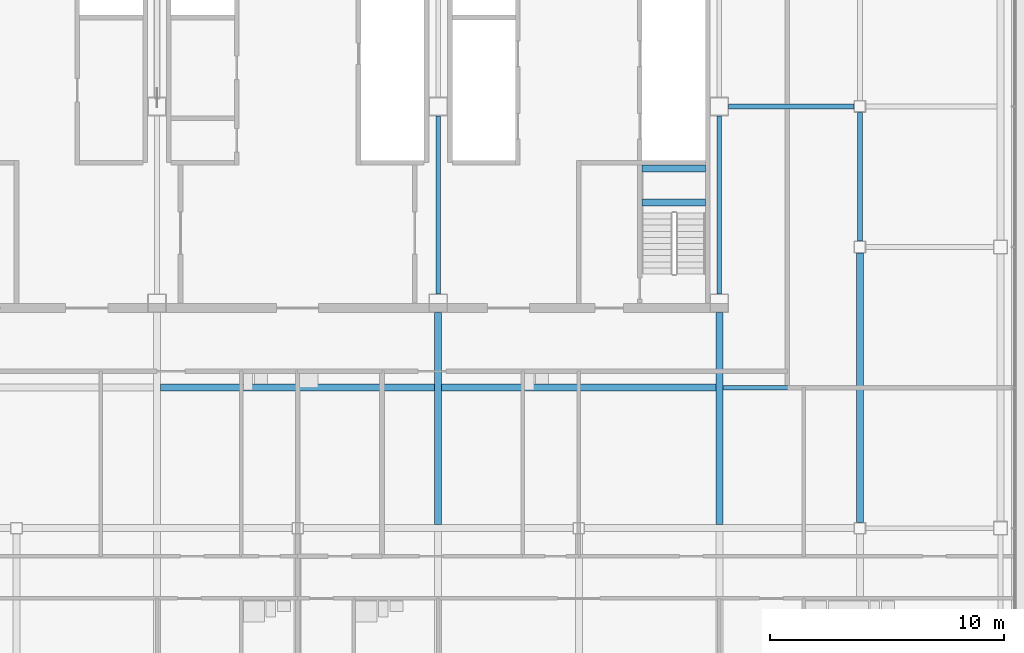
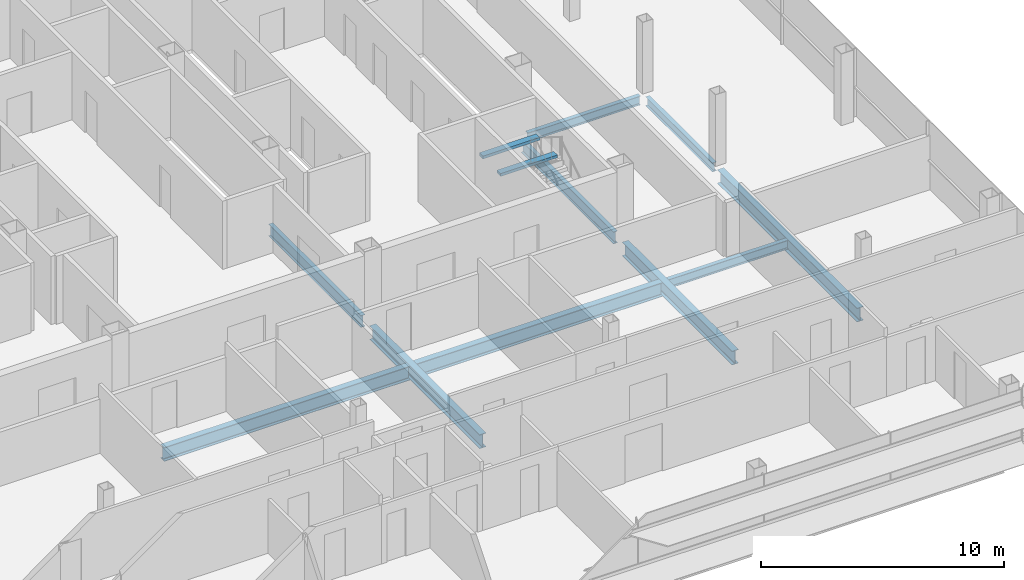
# One storey, part 11 of 28: 12 beams.
"""IFC4 building model written with IfcOpenShell, lengths in metres."""

from ifc_helpers import new_model, si_unit, direction, frame, origin, origin_2d, place, context, subcontext, project, spatial, rectangle, i_section, extrude, material, material_profile, profile_set, type_object, element, save


model = new_model("IFC4")

# Units and contexts
model_context = context("Model", 3, precision=1e-05, world=origin(), true_north=direction((0.0, 1.0)))
body_context = subcontext(model_context, "Body", "Model", "MODEL_VIEW")
ifc_project = project(units=[si_unit("LENGTHUNIT", "METRE"), si_unit("AREAUNIT", "SQUARE_METRE"), si_unit("VOLUMEUNIT", "CUBIC_METRE"), si_unit("PLANEANGLEUNIT", "RADIAN"), si_unit("MASSUNIT", "GRAM", prefix="KILO")], contexts=[model_context])

# Site, building, storey
site_placement = place(None, origin())
site = spatial("IfcSite", under=ifc_project, at=site_placement, CompositionType="ELEMENT")
building_placement = place(site_placement, origin())
building = spatial("IfcBuilding", under=site, at=building_placement, Name="Sorahane Residences", CompositionType="ELEMENT")
storey_placement = place(building_placement, frame((0.0, 0.0, 273.800048828125)))
storey = spatial("IfcBuildingStorey", under=building, at=storey_placement, Name="L65", CompositionType="ELEMENT", Elevation=273.800048828125)

# Beams
ifc_material_1 = material(Name="Concrete C40", Category="concrete")
ifc_material_profile_1 = material_profile(ifc_material_1, rectangle(XDim=0.300048828125, YDim=0.139892578125, at=origin_2d()), Name="300x140")
ifc_profile_set_1 = profile_set([ifc_material_profile_1], Name="Concrete C40")
beam_type_1 = type_object("IfcBeamType", Name="RC landing beam 300 x 140 Concrete C40", PredefinedType="BEAM", material=ifc_profile_set_1)
for number, where, z_axis, x_axis, name in (
    (1, (38.699951171875, 25.89990234375, 1.530029296875), (1.0, 0.0, 0.0), (0.0, 1.0, 0.0), "Landing beam"),
    (2, (38.699951171875, 27.35009765625, 1.530029296875), (1.0, 0.0, 0.0), (0.0, 1.0, 0.0), "Landing beam"),
):
    element("IfcBeam", number, at=place(storey_placement, frame(where, z_axis=z_axis, x_axis=x_axis)), inside=storey, type_object=beam_type_1, Name=name, PredefinedType="BEAM", context=body_context, shape_type="SweptSolid", body=[
        extrude(rectangle(XDim=0.300048828125, YDim=0.139892578125, at=origin_2d()), origin(), (0.0, 0.0, 1.0), 2.699951171875),
    ])
ifc_material_2 = material(Name="Steel Q355B", Category="steel")
ifc_material_profile_2 = material_profile(ifc_material_2, i_section(OverallWidth=0.199951171875, OverallDepth=0.449951171875, WebThickness=0.009033203125, FlangeThickness=0.013916015625, FilletRadius=0.02001953125, at=origin_2d()), Name="HN 450x200x9x14")
ifc_profile_set_2 = profile_set([ifc_material_profile_2], Name="Steel Q355B")
beam_type_2 = type_object("IfcBeamType", Name="Steel floor beam HN 450x200x9x14 Q355B", PredefinedType="BEAM", material=ifc_profile_set_2)
beam_1_placement = place(storey_placement, frame((48.0, 24.25, -0.405029296875), z_axis=(0.0, 1.0, 0.0), x_axis=(-1.0, 0.0, 0.0)))
element("IfcBeam", 3, at=beam_1_placement, inside=storey, type_object=beam_type_2, Name="Beam L65 060", PredefinedType="BEAM", context=body_context, shape_type="SweptSolid", body=[
    extrude(i_section(OverallWidth=0.199951171875, OverallDepth=0.449951171875, WebThickness=0.009033203125, FlangeThickness=0.013916015625, FilletRadius=0.02001953125, at=origin_2d()), origin(), (0.0, 0.0, 1.0), 5.5),
])
beam_2_placement = place(storey_placement, frame((42.14990234375, 18.0, -0.405029296875), z_axis=(1.0, 0.0, 0.0), x_axis=(0.0, 1.0, 0.0)))
element("IfcBeam", 4, at=beam_2_placement, inside=storey, type_object=beam_type_2, Name="Beam L65 083", PredefinedType="BEAM", context=body_context, shape_type="SweptSolid", body=[
    extrude(i_section(OverallWidth=0.199951171875, OverallDepth=0.449951171875, WebThickness=0.009033203125, FlangeThickness=0.013916015625, FilletRadius=0.02001953125, at=origin_2d()), origin(), (0.0, 0.0, 1.0), 5.7001953125),
])
beam_3_placement = place(storey_placement, frame((42.39990234375, 30.0, -0.405029296875), z_axis=(1.0, 0.0, 0.0), x_axis=(0.0, 1.0, 0.0)))
element("IfcBeam", 5, at=beam_3_placement, inside=storey, type_object=beam_type_2, Name="Beam L65 087", PredefinedType="BEAM", context=body_context, shape_type="SweptSolid", body=[
    extrude(i_section(OverallWidth=0.199951171875, OverallDepth=0.449951171875, WebThickness=0.009033203125, FlangeThickness=0.013916015625, FilletRadius=0.02001953125, at=origin_2d()), origin(), (0.0, 0.0, 1.0), 5.35009765625),
])
ifc_material_3 = material(Name="Steel Q355B", Category="steel")
ifc_material_profile_3 = material_profile(ifc_material_3, i_section(OverallWidth=0.199951171875, OverallDepth=0.60009765625, WebThickness=0.010986328125, FlangeThickness=0.01708984375, FilletRadius=0.02392578125, at=origin_2d()), Name="HN 600x200x11x17")
ifc_profile_set_3 = profile_set([ifc_material_profile_3], Name="Steel Q355B")
beam_type_3 = type_object("IfcBeamType", Name="Steel floor beam HN 600x200x11x17 Q355B", PredefinedType="BEAM", material=ifc_profile_set_3)
for number, where, z_axis, x_axis, name in (
    (6, (30.0, 22.0, -0.47998046875), (0.0, 1.0, 0.0), (-1.0, 0.0, 0.0), "Beam L65 046"),
    (7, (42.0, 22.0, -0.47998046875), (0.0, 1.0, 0.0), (-1.0, 0.0, 0.0), "Beam L65 054"),
):
    element("IfcBeam", number, at=place(storey_placement, frame(where, z_axis=z_axis, x_axis=x_axis)), inside=storey, type_object=beam_type_3, Name=name, PredefinedType="BEAM", context=body_context, shape_type="SweptSolid", body=[
        extrude(i_section(OverallWidth=0.199951171875, OverallDepth=0.60009765625, WebThickness=0.010986328125, FlangeThickness=0.01708984375, FilletRadius=0.02392578125, at=origin_2d()), origin(), (0.0, 0.0, 1.0), 7.60009765625),
    ])
ifc_material_4 = material(Name="Steel Q355B", Category="steel")
ifc_material_profile_4 = material_profile(ifc_material_4, i_section(OverallWidth=0.300048828125, OverallDepth=0.699951171875, WebThickness=0.012939453125, FlangeThickness=0.02392578125, FilletRadius=0.028076171875, at=origin_2d()), Name="HN 700x300x13x24")
ifc_profile_set_4 = profile_set([ifc_material_profile_4], Name="Steel Q355B")
beam_type_4 = type_object("IfcBeamType", Name="Steel floor beam HN 700x300x13x24 Q355B", PredefinedType="BEAM", material=ifc_profile_set_4)
for number, where, z_axis, x_axis, name in (
    (8, (30.0, 12.14990234375, -0.530029296875), (0.0, 1.0, 0.0), (-1.0, 0.0, 0.0), "Beam L65 045"),
    (9, (42.0, 12.14990234375, -0.530029296875), (0.0, 1.0, 0.0), (-1.0, 0.0, 0.0), "Beam L65 053"),
):
    element("IfcBeam", number, at=place(storey_placement, frame(where, z_axis=z_axis, x_axis=x_axis)), inside=storey, type_object=beam_type_4, Name=name, PredefinedType="BEAM", context=body_context, shape_type="SweptSolid", body=[
        extrude(i_section(OverallWidth=0.300048828125, OverallDepth=0.699951171875, WebThickness=0.012939453125, FlangeThickness=0.02392578125, FilletRadius=0.028076171875, at=origin_2d()), origin(), (0.0, 0.0, 1.0), 9.050048828125),
    ])
beam_4_placement = place(storey_placement, frame((48.0, 12.25, -0.530029296875), z_axis=(0.0, 1.0, 0.0), x_axis=(-1.0, 0.0, 0.0)))
element("IfcBeam", 10, at=beam_4_placement, inside=storey, type_object=beam_type_4, Name="Beam L65 059", PredefinedType="BEAM", context=body_context, shape_type="SweptSolid", body=[
    extrude(i_section(OverallWidth=0.300048828125, OverallDepth=0.699951171875, WebThickness=0.012939453125, FlangeThickness=0.02392578125, FilletRadius=0.028076171875, at=origin_2d()), origin(), (0.0, 0.0, 1.0), 11.5),
])
for number, where, z_axis, x_axis, name in (
    (11, (18.14990234375, 18.0, -0.530029296875), (1.0, 0.0, 0.0), (0.0, 1.0, 0.0), "Beam L65 081"),
    (12, (30.14990234375, 18.0, -0.530029296875), (1.0, 0.0, 0.0), (0.0, 1.0, 0.0), "Beam L65 082"),
):
    element("IfcBeam", number, at=place(storey_placement, frame(where, z_axis=z_axis, x_axis=x_axis)), inside=storey, type_object=beam_type_4, Name=name, PredefinedType="BEAM", context=body_context, shape_type="SweptSolid", body=[
        extrude(i_section(OverallWidth=0.300048828125, OverallDepth=0.699951171875, WebThickness=0.012939453125, FlangeThickness=0.02392578125, FilletRadius=0.028076171875, at=origin_2d()), origin(), (0.0, 0.0, 1.0), 11.7001953125),
    ])

save(model, "model.ifc")
